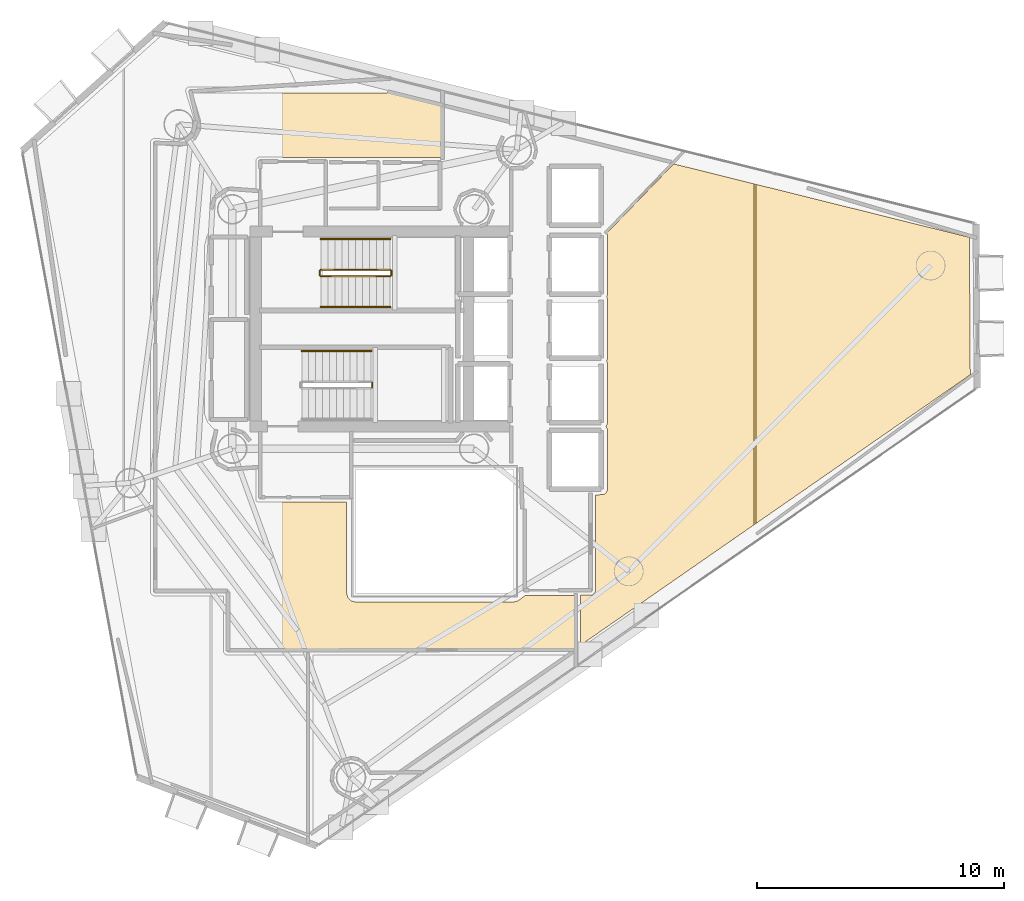
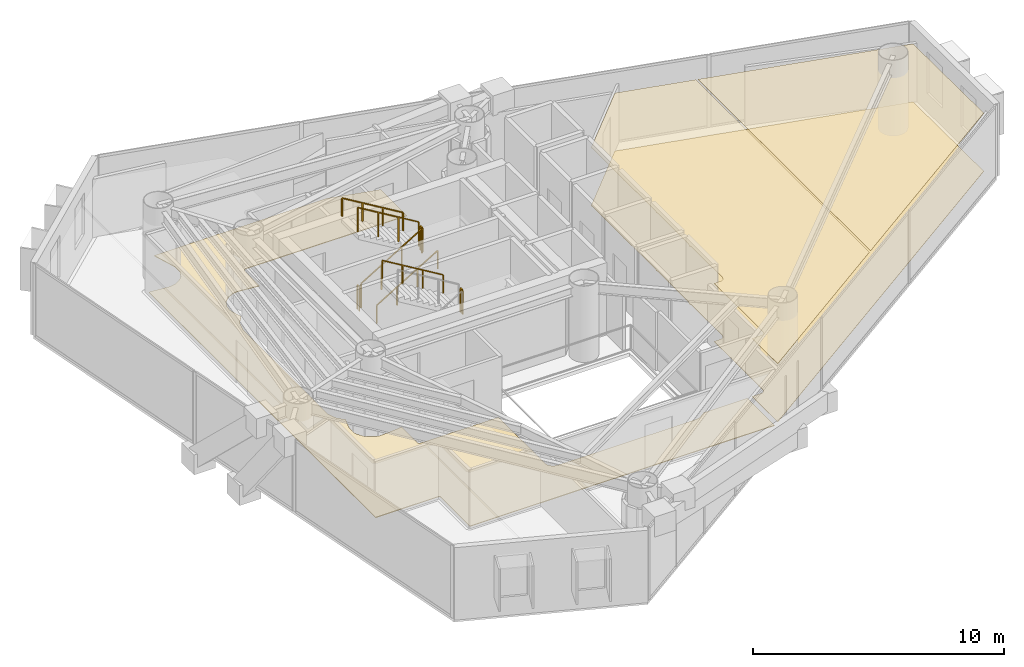
# One storey, part 23 of 23: 8 railings, 4 coverings.
"""IFC4 building model written with IfcOpenShell, lengths in metres."""

from ifc_helpers import new_model, si_unit, direction, frame, origin, origin_2d, place, context, subcontext, project, spatial, polyline, rectangle, outline, extrude, material, layer, layer_set, type_object, element, save


model = new_model("IFC4")

# Units and contexts
model_context = context("Model", 3, precision=1e-05, world=origin(), true_north=direction((0.0, 1.0)))
body_context = subcontext(model_context, "Body", "Model", "MODEL_VIEW")
ifc_project = project(units=[si_unit("LENGTHUNIT", "METRE"), si_unit("AREAUNIT", "SQUARE_METRE"), si_unit("VOLUMEUNIT", "CUBIC_METRE"), si_unit("PLANEANGLEUNIT", "RADIAN"), si_unit("MASSUNIT", "GRAM", prefix="KILO")], contexts=[model_context])

# Site, building, storey
site_placement = place(None, origin())
site = spatial("IfcSite", under=ifc_project, at=site_placement, CompositionType="ELEMENT")
building_placement = place(site_placement, origin())
building = spatial("IfcBuilding", under=site, at=building_placement, Name="Qianvela Tower", CompositionType="ELEMENT")
storey_placement = place(building_placement, frame((0.0, 0.0, 192.89990234375)))
storey = spatial("IfcBuildingStorey", under=building, at=storey_placement, Name="L49", CompositionType="ELEMENT", Elevation=192.89990234375)

# Coverings
ifc_material_1 = material(Name="Perforated Mineral Acoustic Ceiling Tile")
ifc_layer_1 = layer(ifc_material_1, 0.02490234375)
ifc_layer_set_1 = layer_set([ifc_layer_1], Name="Perforated Mineral Acoustic Ceiling Tile")
covering_type_1 = type_object("IfcCoveringType", Name="COV-CEIL-ACOUSTIC-25", PredefinedType="CEILING", material=ifc_layer_set_1)
covering_1_placement = place(storey_placement, frame((0.0, 0.0, 2.815185546875)))
element("IfcCovering", 1, at=covering_1_placement, inside=storey, type_object=covering_type_1, Name="L49 Acoustic Ceiling Bay 1 Panoramic Study Lounge L49-03", PredefinedType="CEILING", context=body_context, shape_type="SweptSolid", body=[
    extrude(outline(polyline([(43.744873046875, 24.754638671875), (43.75, 24.760498046875), (43.754638671875, 24.7666015625), (43.7587890625, 24.7734375), (43.76220703125, 24.780517578125), (43.793212890625, 24.855712890625), (43.7958984375, 24.863037109375), (43.7978515625, 24.87060546875), (43.798828125, 24.87841796875), (43.79931640625, 24.88623046875), (43.800048828125, 27.300048828125), (43.799560546875, 27.307861328125), (43.79833984375, 27.31591796875), (43.79638671875, 27.323486328125), (43.793701171875, 27.3310546875), (43.7646484375, 27.39990234375), (43.793701171875, 27.468994140625), (43.79638671875, 27.4765625), (43.79833984375, 27.484130859375), (43.799560546875, 27.4921875), (43.800048828125, 27.5), (43.79736328125, 29.927490234375), (43.796875, 29.935302734375), (43.795654296875, 29.943115234375), (43.793701171875, 29.95068359375), (43.791015625, 29.958251953125), (43.78759765625, 29.965576171875), (43.7666015625, 30.00439453125), (43.793701171875, 30.06884765625), (43.79638671875, 30.076416015625), (43.79833984375, 30.084228515625), (43.799560546875, 30.092041015625), (43.800048828125, 30.10009765625), (43.800048828125, 32.5), (43.799560546875, 32.5078125), (43.798583984375, 32.515380859375), (43.796630859375, 32.52294921875), (43.7939453125, 32.5302734375), (43.773681640625, 32.580078125), (46.48681640625, 35.3896484375), (49.742431640625, 34.580810546875), (49.742431640625, 20.765380859375), (42.709716796875, 15.885986328125), (42.70751953125, 17.920166015625), (43.157958984375, 17.92041015625), (43.165771484375, 17.9208984375), (43.173583984375, 17.921875), (43.18115234375, 17.923828125), (43.1884765625, 17.926513671875), (43.195556640625, 17.9296875), (43.202392578125, 17.933837890625), (43.20849609375, 17.9384765625), (43.21435546875, 17.94384765625), (43.2861328125, 18.015625), (43.29150390625, 18.021484375), (43.296142578125, 18.027587890625), (43.30029296875, 18.034423828125), (43.303466796875, 18.04150390625), (43.30615234375, 18.048828125), (43.30810546875, 18.056640625), (43.30908203125, 18.064208984375), (43.3095703125, 18.072265625), (43.309326171875, 21.981201171875), (43.621826171875, 21.986083984375), (43.62939453125, 21.986572265625), (43.63720703125, 21.98779296875), (43.64453125, 21.98974609375), (43.651611328125, 21.9921875), (43.658447265625, 21.99560546875), (43.6650390625, 21.99951171875), (43.732666015625, 22.044677734375), (43.739013671875, 22.04931640625), (43.744873046875, 22.0546875), (43.75, 22.060302734375), (43.754638671875, 22.066650390625), (43.7587890625, 22.073486328125), (43.76220703125, 22.08056640625), (43.793212890625, 22.15576171875), (43.7958984375, 22.1630859375), (43.7978515625, 22.170654296875), (43.798828125, 22.178466796875), (43.79931640625, 22.186279296875), (43.79736328125, 24.62744140625), (43.796875, 24.63525390625), (43.7958984375, 24.64306640625), (43.7939453125, 24.650634765625), (43.791259765625, 24.657958984375), (43.787841796875, 24.6650390625), (43.74951171875, 24.73681640625), (43.74560546875, 24.743408203125), (43.74072265625, 24.749755859375), (43.740234375, 24.75048828125), (43.744873046875, 24.754638671875)])), origin(), (0.0, 0.0, 1.0), 0.02490234375),
])
covering_2_placement = place(storey_placement, frame((0.0, 0.0, 2.815185546875)))
element("IfcCovering", 2, at=covering_2_placement, inside=storey, type_object=covering_type_1, Name="L49 Acoustic Ceiling Bay 2 Panoramic Study Lounge L49-03", PredefinedType="CEILING", context=body_context, shape_type="SweptSolid", body=[
    extrude(outline(polyline([(58.46728515625, 32.412841796875), (58.504150390625, 26.84423828125), (49.822509765625, 20.82080078125), (49.822509765625, 34.560791015625), (58.46728515625, 32.412841796875)])), origin(), (0.0, 0.0, 1.0), 0.02490234375),
])
ifc_material_2 = material(Name="Engineered Acoustic Oak Timber Flooring", Category="wood")
ifc_layer_2 = layer(ifc_material_2, 0.02001953125)
ifc_layer_set_2 = layer_set([ifc_layer_2], Name="Engineered Acoustic Oak Timber Flooring")
covering_type_2 = type_object("IfcCoveringType", Name="COV-FLOOR-OAK-20", PredefinedType="FLOORING", material=ifc_layer_set_2)
covering_3_placement = place(storey_placement, origin())
element("IfcCovering", 3, at=covering_3_placement, inside=storey, type_object=covering_type_2, Name="L49 Finish Flooring Panoramic Study Lounge L49-03", PredefinedType="FLOORING", context=body_context, shape_type="SweptSolid", body=[
    extrude(outline(polyline([(43.740234375, 24.75048828125), (43.744873046875, 24.754638671875), (43.75, 24.760498046875), (43.754638671875, 24.7666015625), (43.7587890625, 24.7734375), (43.76220703125, 24.780517578125), (43.793212890625, 24.855712890625), (43.7958984375, 24.863037109375), (43.7978515625, 24.87060546875), (43.798828125, 24.87841796875), (43.79931640625, 24.88623046875), (43.800048828125, 27.300048828125), (43.799560546875, 27.307861328125), (43.79833984375, 27.31591796875), (43.79638671875, 27.323486328125), (43.793701171875, 27.3310546875), (43.7646484375, 27.39990234375), (43.793701171875, 27.468994140625), (43.79638671875, 27.4765625), (43.79833984375, 27.484130859375), (43.799560546875, 27.4921875), (43.800048828125, 27.5), (43.79736328125, 29.927490234375), (43.796875, 29.935302734375), (43.795654296875, 29.943115234375), (43.793701171875, 29.95068359375), (43.791015625, 29.958251953125), (43.78759765625, 29.965576171875), (43.7666015625, 30.00439453125), (43.793701171875, 30.06884765625), (43.79638671875, 30.076416015625), (43.79833984375, 30.084228515625), (43.799560546875, 30.092041015625), (43.800048828125, 30.10009765625), (43.800048828125, 32.5), (43.799560546875, 32.5078125), (43.798583984375, 32.515380859375), (43.796630859375, 32.52294921875), (43.7939453125, 32.5302734375), (43.773681640625, 32.580078125), (46.48681640625, 35.3896484375), (58.46728515625, 32.412841796875), (58.504150390625, 26.84423828125), (42.709716796875, 15.885986328125), (42.70751953125, 17.920166015625), (43.157958984375, 17.92041015625), (43.165771484375, 17.9208984375), (43.173583984375, 17.921875), (43.18115234375, 17.923828125), (43.1884765625, 17.926513671875), (43.195556640625, 17.9296875), (43.202392578125, 17.933837890625), (43.20849609375, 17.9384765625), (43.21435546875, 17.94384765625), (43.2861328125, 18.015625), (43.29150390625, 18.021484375), (43.296142578125, 18.027587890625), (43.30029296875, 18.034423828125), (43.303466796875, 18.04150390625), (43.30615234375, 18.048828125), (43.30810546875, 18.056640625), (43.30908203125, 18.064208984375), (43.3095703125, 18.072265625), (43.309326171875, 21.981201171875), (43.621826171875, 21.986083984375), (43.62939453125, 21.986572265625), (43.63720703125, 21.98779296875), (43.64453125, 21.98974609375), (43.651611328125, 21.9921875), (43.658447265625, 21.99560546875), (43.6650390625, 21.99951171875), (43.732666015625, 22.044677734375), (43.739013671875, 22.04931640625), (43.744873046875, 22.0546875), (43.75, 22.060302734375), (43.754638671875, 22.066650390625), (43.7587890625, 22.073486328125), (43.76220703125, 22.08056640625), (43.793212890625, 22.15576171875), (43.7958984375, 22.1630859375), (43.7978515625, 22.170654296875), (43.798828125, 22.178466796875), (43.79931640625, 22.186279296875), (43.79736328125, 24.62744140625), (43.796875, 24.63525390625), (43.7958984375, 24.64306640625), (43.7939453125, 24.650634765625), (43.791259765625, 24.657958984375), (43.787841796875, 24.6650390625), (43.74951171875, 24.73681640625), (43.74560546875, 24.743408203125), (43.74072265625, 24.749755859375), (43.740234375, 24.75048828125)])), origin(), (0.0, 0.0, 1.0), 0.02001953125),
])
ifc_material_3 = material(Name="Honed Stone Terrazzo Flooring", Category="masonry")
ifc_layer_3 = layer(ifc_material_3, 0.030029296875)
ifc_layer_set_3 = layer_set([ifc_layer_3], Name="Honed Stone Terrazzo Flooring")
covering_type_3 = type_object("IfcCoveringType", Name="COV-FLOOR-TERRAZZO-30", PredefinedType="FLOORING", material=ifc_layer_set_3)
covering_4_placement = place(storey_placement, origin())
element("IfcCovering", 4, at=covering_4_placement, inside=storey, type_object=covering_type_3, Name="L49 Finish Flooring L49 Floor Corridor", PredefinedType="FLOORING", context=body_context, shape_type="SweptSolid", body=[
    extrude(outline(polyline([(27.30908203125, 36.801513671875), (27.311767578125, 36.808837890625), (27.313720703125, 36.81640625), (27.31494140625, 36.82421875), (27.315185546875, 36.83203125), (27.315185546875, 37.152099609375), (27.31494140625, 37.159912109375), (27.313720703125, 37.16748046875), (27.311767578125, 37.17529296875), (26.979736328125, 38.27001953125), (34.8935546875, 38.27001953125), (37.070068359375, 37.729248046875), (37.070068359375, 35.64013671875), (29.68798828125, 35.660888671875), (29.680419921875, 35.660400390625), (29.672607421875, 35.6591796875), (29.664794921875, 35.657470703125), (29.657470703125, 35.65478515625), (29.650390625, 35.6513671875), (29.6435546875, 35.6474609375), (29.63720703125, 35.642578125), (29.63134765625, 35.637451171875), (29.626220703125, 35.631591796875), (29.576171875, 35.57080078125), (29.571533203125, 35.564453125), (29.5673828125, 35.5576171875), (29.564208984375, 35.550537109375), (29.561279296875, 35.543212890625), (29.5595703125, 35.53564453125), (29.558349609375, 35.52783203125), (29.55810546875, 35.52001953125), (29.55810546875, 34.35595703125), (28.60791015625, 34.44970703125), (28.60009765625, 34.449951171875), (28.59228515625, 34.44970703125), (28.43212890625, 34.433837890625), (28.42431640625, 34.4326171875), (28.416748046875, 34.430908203125), (28.409423828125, 34.42822265625), (28.11376953125, 34.3056640625), (28.106689453125, 34.302490234375), (28.10009765625, 34.29833984375), (28.09375, 34.293701171875), (28.087890625, 34.288330078125), (27.861572265625, 34.06201171875), (27.8564453125, 34.056396484375), (27.851806640625, 34.050048828125), (27.84765625, 34.043212890625), (27.84423828125, 34.0361328125), (27.7216796875, 33.740478515625), (27.71923828125, 33.733154296875), (27.71728515625, 33.7255859375), (27.716064453125, 33.7177734375), (27.700439453125, 33.557861328125), (27.699951171875, 33.550048828125), (27.700439453125, 33.542236328125), (27.716064453125, 33.382080078125), (27.71728515625, 33.37451171875), (27.71923828125, 33.36669921875), (27.865478515625, 32.884521484375), (27.60107421875, 32.52685546875), (27.5966796875, 32.5205078125), (27.593017578125, 32.513427734375), (27.590087890625, 32.50634765625), (27.587890625, 32.4990234375), (27.472412109375, 32.0458984375), (27.47119140625, 32.039306640625), (27.47021484375, 32.03271484375), (27.469970703125, 32.026123046875), (27.469970703125, 25.291259765625), (27.47021484375, 25.2841796875), (27.47119140625, 25.27734375), (27.47265625, 25.2705078125), (27.474853515625, 25.263916015625), (27.59326171875, 24.938232421875), (27.59619140625, 24.93115234375), (27.599853515625, 24.92431640625), (27.604248046875, 24.91796875), (27.609130859375, 24.911865234375), (27.89111328125, 24.599853515625), (27.71923828125, 24.033203125), (27.71728515625, 24.025634765625), (27.716064453125, 24.017822265625), (27.7158203125, 24.010009765625), (27.7158203125, 23.68994140625), (27.716064453125, 23.68212890625), (27.71728515625, 23.67431640625), (27.71923828125, 23.666748046875), (27.765869140625, 23.512939453125), (27.7685546875, 23.505615234375), (27.77197265625, 23.49853515625), (27.77587890625, 23.49169921875), (27.95361328125, 23.2255859375), (27.958251953125, 23.219482421875), (27.963623046875, 23.213623046875), (27.969482421875, 23.208251953125), (27.9755859375, 23.20361328125), (28.24169921875, 23.02587890625), (28.24853515625, 23.02197265625), (28.255615234375, 23.0185546875), (28.262939453125, 23.015869140625), (28.416748046875, 22.96923828125), (28.42431640625, 22.96728515625), (28.43212890625, 22.966064453125), (28.59228515625, 22.950439453125), (28.60009765625, 22.949951171875), (28.60791015625, 22.950439453125), (29.55810546875, 23.0439453125), (29.55810546875, 21.780029296875), (29.558349609375, 21.772216796875), (29.5595703125, 21.764404296875), (29.561279296875, 21.7568359375), (29.564208984375, 21.74951171875), (29.5673828125, 21.7421875), (29.571533203125, 21.735595703125), (29.576171875, 21.729248046875), (29.581298828125, 21.723388671875), (29.587158203125, 21.71826171875), (29.593505859375, 21.71337890625), (29.600341796875, 21.70947265625), (29.607421875, 21.7060546875), (29.61474609375, 21.703369140625), (29.622314453125, 21.701416015625), (29.630126953125, 21.700439453125), (29.637939453125, 21.699951171875), (33.239990234375, 21.699951171875), (33.239990234375, 18.0), (33.240478515625, 17.990234375), (33.242431640625, 17.980712890625), (33.275390625, 17.8486328125), (33.277587890625, 17.841796875), (33.2802734375, 17.8349609375), (33.283447265625, 17.82861328125), (33.287353515625, 17.822509765625), (33.29150390625, 17.81689453125), (33.29638671875, 17.811279296875), (33.411376953125, 17.696533203125), (33.41796875, 17.690673828125), (33.4248046875, 17.685791015625), (33.432373046875, 17.681396484375), (33.440185546875, 17.677978515625), (33.448486328125, 17.675537109375), (33.58056640625, 17.642333984375), (33.5869140625, 17.64111328125), (33.593505859375, 17.640380859375), (33.60009765625, 17.639892578125), (40.0, 17.639892578125), (40.006591796875, 17.640380859375), (40.012939453125, 17.64111328125), (40.019287109375, 17.642333984375), (40.1513671875, 17.675537109375), (40.15869140625, 17.677734375), (40.166015625, 17.6806640625), (40.172607421875, 17.68408203125), (40.17919921875, 17.6884765625), (40.45947265625, 17.89306640625), (42.469970703125, 17.899658203125), (42.469970703125, 15.72998046875), (28.47998046875, 15.72998046875), (28.47998046875, 18.050048828125), (28.4794921875, 18.057861328125), (28.478515625, 18.065673828125), (28.4765625, 18.0732421875), (28.473876953125, 18.08056640625), (28.470703125, 18.087646484375), (28.466552734375, 18.094482421875), (28.4619140625, 18.100830078125), (28.45654296875, 18.106689453125), (28.45068359375, 18.11181640625), (28.4443359375, 18.116455078125), (28.437744140625, 18.12060546875), (28.4306640625, 18.123779296875), (28.423095703125, 18.126708984375), (28.41552734375, 18.12841796875), (28.40771484375, 18.129638671875), (28.39990234375, 18.1298828125), (25.530029296875, 18.1298828125), (25.530029296875, 36.180419921875), (26.423095703125, 36.09228515625), (26.430908203125, 36.092041015625), (26.438720703125, 36.09228515625), (26.446533203125, 36.093505859375), (26.760498046875, 36.156005859375), (26.76806640625, 36.157958984375), (26.775390625, 36.160400390625), (26.782470703125, 36.163818359375), (26.789306640625, 36.16796875), (27.055419921875, 36.345703125), (27.0615234375, 36.350341796875), (27.0673828125, 36.355712890625), (27.07275390625, 36.361328125), (27.174560546875, 36.485595703125), (27.17919921875, 36.491943359375), (27.183349609375, 36.498779296875), (27.186767578125, 36.505859375), (27.30908203125, 36.801513671875)])), origin(), (0.0, 0.0, 1.0), 0.030029296875),
])

# Railings
ifc_material_4 = material(Name="Painted Tubular Steel Q355B", Category="steel")
railing_type_1 = type_object("IfcRailingType", Name="RL-STAIR-GUARD-1200", PredefinedType="GUARDRAIL", material=ifc_material_4)
railing_1_placement = place(storey_placement, frame((32.199951171875, 30.840087890625, 0.168212890625)))
element("IfcRailing", 5, at=railing_1_placement, inside=storey, type_object=railing_type_1, Name="L49 ST-1 stair guard 1", PredefinedType="GUARDRAIL", context=body_context, shape_type="SweptSolid", body=[
    extrude(rectangle(XDim=0.050048828125, YDim=0.0400390625, at=origin_2d()), frame((0.0, 0.0, 1.179931640625), z_axis=(0.857242210791, 0.0, 0.514913383045), x_axis=(0.0, 1.0, 0.0)), (0.0, 0.0, 1.0), 3.266357421875),
    extrude(rectangle(XDim=0.050048828125, YDim=0.050048828125, at=origin_2d()), origin(), (0.0, 0.0, 1.0), 1.159912109375),
    extrude(rectangle(XDim=0.050048828125, YDim=0.050048828125, at=origin_2d()), frame((0.933349609375, 0.0, 0.560546875)), (0.0, 0.0, 1.0), 1.159912109375),
    extrude(rectangle(XDim=0.050048828125, YDim=0.050048828125, at=origin_2d()), frame((1.86669921875, 0.0, 1.121337890625)), (0.0, 0.0, 1.0), 1.159912109375),
    extrude(rectangle(XDim=0.050048828125, YDim=0.050048828125, at=origin_2d()), frame((2.800048828125, 0.0, 1.681884765625)), (0.0, 0.0, 1.0), 1.159912109375),
])
railing_2_placement = place(storey_placement, frame((35.050048828125, 30.889892578125, 1.85009765625)))
element("IfcRailing", 6, at=railing_2_placement, inside=storey, type_object=railing_type_1, Name="L49 ST-1 stair guard 2", PredefinedType="GUARDRAIL", context=body_context, shape_type="SweptSolid", body=[
    extrude(rectangle(XDim=0.050048828125, YDim=0.0400390625, at=origin_2d()), frame((0.0, 0.0, 1.179931640625), z_axis=(0.0, 1.0, 0.0), x_axis=(-1.0, 0.0, 0.0)), (0.0, 0.0, 1.0), 0.16015625),
    extrude(rectangle(XDim=0.050048828125, YDim=0.050048828125, at=origin_2d()), origin(), (0.0, 0.0, 1.0), 1.159912109375),
    extrude(rectangle(XDim=0.050048828125, YDim=0.050048828125, at=origin_2d()), frame((0.0, 0.16015625, 0.0)), (0.0, 0.0, 1.0), 1.159912109375),
])
railing_3_placement = place(storey_placement, frame((35.0, 31.10009765625, 2.018310546875)))
element("IfcRailing", 7, at=railing_3_placement, inside=storey, type_object=railing_type_1, Name="L49 ST-1 stair guard 3", PredefinedType="GUARDRAIL", context=body_context, shape_type="SweptSolid", body=[
    extrude(rectangle(XDim=0.050048828125, YDim=0.0400390625, at=origin_2d()), frame((0.0, 0.0, 1.179931640625), z_axis=(-0.857242210791, 0.0, 0.514913383045), x_axis=(0.0, -1.0, 0.0)), (0.0, 0.0, 1.0), 3.266357421875),
    extrude(rectangle(XDim=0.050048828125, YDim=0.050048828125, at=origin_2d()), origin(), (0.0, 0.0, 1.0), 1.159912109375),
    extrude(rectangle(XDim=0.050048828125, YDim=0.050048828125, at=origin_2d()), frame((-0.933349609375, 0.0, 0.560546875)), (0.0, 0.0, 1.0), 1.159912109375),
    extrude(rectangle(XDim=0.050048828125, YDim=0.050048828125, at=origin_2d()), frame((-1.86669921875, 0.0, 1.121337890625)), (0.0, 0.0, 1.0), 1.159912109375),
    extrude(rectangle(XDim=0.050048828125, YDim=0.050048828125, at=origin_2d()), frame((-2.800048828125, 0.0, 1.681884765625)), (0.0, 0.0, 1.0), 1.159912109375),
])
railing_4_placement = place(storey_placement, frame((32.14990234375, 30.889892578125, 0.0)))
element("IfcRailing", 8, at=railing_4_placement, inside=storey, type_object=railing_type_1, Name="L49 ST-1 stair guard 4", PredefinedType="GUARDRAIL", context=body_context, shape_type="SweptSolid", body=[
    extrude(rectangle(XDim=0.050048828125, YDim=0.0400390625, at=origin_2d()), frame((0.0, 0.0, 1.179931640625), z_axis=(0.0, 1.0, 0.0), x_axis=(-1.0, 0.0, 0.0)), (0.0, 0.0, 1.0), 0.16015625),
    extrude(rectangle(XDim=0.050048828125, YDim=0.050048828125, at=origin_2d()), origin(), (0.0, 0.0, 1.0), 1.159912109375),
    extrude(rectangle(XDim=0.050048828125, YDim=0.050048828125, at=origin_2d()), frame((0.0, 0.16015625, 0.0)), (0.0, 0.0, 1.0), 1.159912109375),
])
railing_5_placement = place(storey_placement, frame((34.27001953125, 26.35009765625, 1.85009765625)))
element("IfcRailing", 9, at=railing_5_placement, inside=storey, type_object=railing_type_1, Name="L49 ST-2 stair guard 2", PredefinedType="GUARDRAIL", context=body_context, shape_type="SweptSolid", body=[
    extrude(rectangle(XDim=0.050048828125, YDim=0.0400390625, at=origin_2d()), frame((0.0, 0.0, 1.179931640625), z_axis=(0.0, 1.0, 0.0), x_axis=(-1.0, 0.0, 0.0)), (0.0, 0.0, 1.0), 0.159912109375),
    extrude(rectangle(XDim=0.050048828125, YDim=0.050048828125, at=origin_2d()), origin(), (0.0, 0.0, 1.0), 1.159912109375),
    extrude(rectangle(XDim=0.050048828125, YDim=0.050048828125, at=origin_2d()), frame((0.0, 0.159912109375, 0.0)), (0.0, 0.0, 1.0), 1.159912109375),
])
ifc_material_5 = material(Name="Brushed Stainless Steel 304", Category="steel")
railing_type_2 = type_object("IfcRailingType", Name="RL-STAIR-HANDRAIL-900", PredefinedType="HANDRAIL", material=ifc_material_5)
railing_6_placement = place(storey_placement, frame((32.199951171875, 29.590087890625, 0.168212890625)))
element("IfcRailing", 10, at=railing_6_placement, inside=storey, type_object=railing_type_2, Name="L49 ST-1 stair handrail 1", PredefinedType="HANDRAIL", context=body_context, shape_type="SweptSolid", body=[
    extrude(rectangle(XDim=0.050048828125, YDim=0.0400390625, at=origin_2d()), frame((0.0, 0.0, 0.8798828125), z_axis=(0.857242210791, 0.0, 0.514913383045), x_axis=(0.0, 1.0, 0.0)), (0.0, 0.0, 1.0), 3.266357421875),
    extrude(rectangle(XDim=0.050048828125, YDim=0.050048828125, at=origin_2d()), origin(), (0.0, 0.0, 1.0), 0.85986328125),
    extrude(rectangle(XDim=0.050048828125, YDim=0.050048828125, at=origin_2d()), frame((0.933349609375, 0.0, 0.560546875)), (0.0, 0.0, 1.0), 0.85986328125),
    extrude(rectangle(XDim=0.050048828125, YDim=0.050048828125, at=origin_2d()), frame((1.86669921875, 0.0, 1.121337890625)), (0.0, 0.0, 1.0), 0.85986328125),
    extrude(rectangle(XDim=0.050048828125, YDim=0.050048828125, at=origin_2d()), frame((2.800048828125, 0.0, 1.681884765625)), (0.0, 0.0, 1.0), 0.85986328125),
])
for number, where, name in (
    (11, (35.0, 32.35009765625, 2.018310546875), "L49 ST-1 stair handrail 2"),
    (12, (34.219970703125, 27.81005859375, 2.018310546875), "L49 ST-2 stair handrail 2"),
):
    element("IfcRailing", number, at=place(storey_placement, frame(where)), inside=storey, type_object=railing_type_2, Name=name, PredefinedType="HANDRAIL", context=body_context, shape_type="SweptSolid", body=[
        extrude(rectangle(XDim=0.050048828125, YDim=0.0400390625, at=origin_2d()), frame((0.0, 0.0, 0.8798828125), z_axis=(-0.857242210791, 0.0, 0.514913383045), x_axis=(0.0, -1.0, 0.0)), (0.0, 0.0, 1.0), 3.266357421875),
        extrude(rectangle(XDim=0.050048828125, YDim=0.050048828125, at=origin_2d()), origin(), (0.0, 0.0, 1.0), 0.85986328125),
        extrude(rectangle(XDim=0.050048828125, YDim=0.050048828125, at=origin_2d()), frame((-0.933349609375, 0.0, 0.560546875)), (0.0, 0.0, 1.0), 0.85986328125),
        extrude(rectangle(XDim=0.050048828125, YDim=0.050048828125, at=origin_2d()), frame((-1.86669921875, 0.0, 1.121337890625)), (0.0, 0.0, 1.0), 0.85986328125),
        extrude(rectangle(XDim=0.050048828125, YDim=0.050048828125, at=origin_2d()), frame((-2.800048828125, 0.0, 1.681884765625)), (0.0, 0.0, 1.0), 0.85986328125),
    ])

save(model, "model.ifc")
